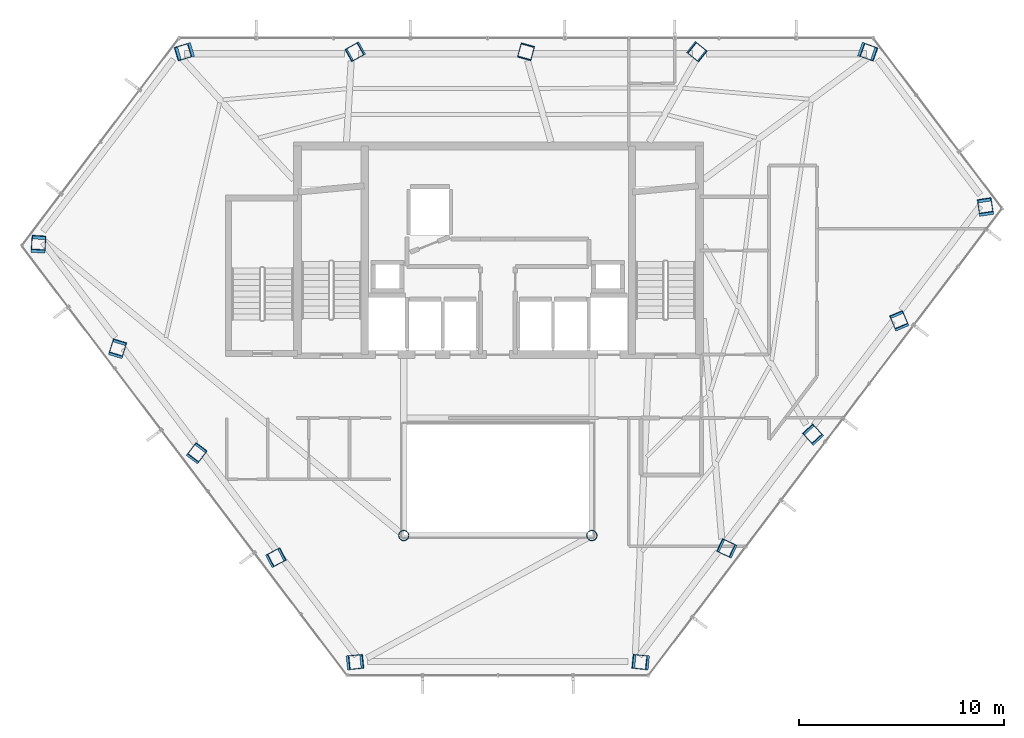
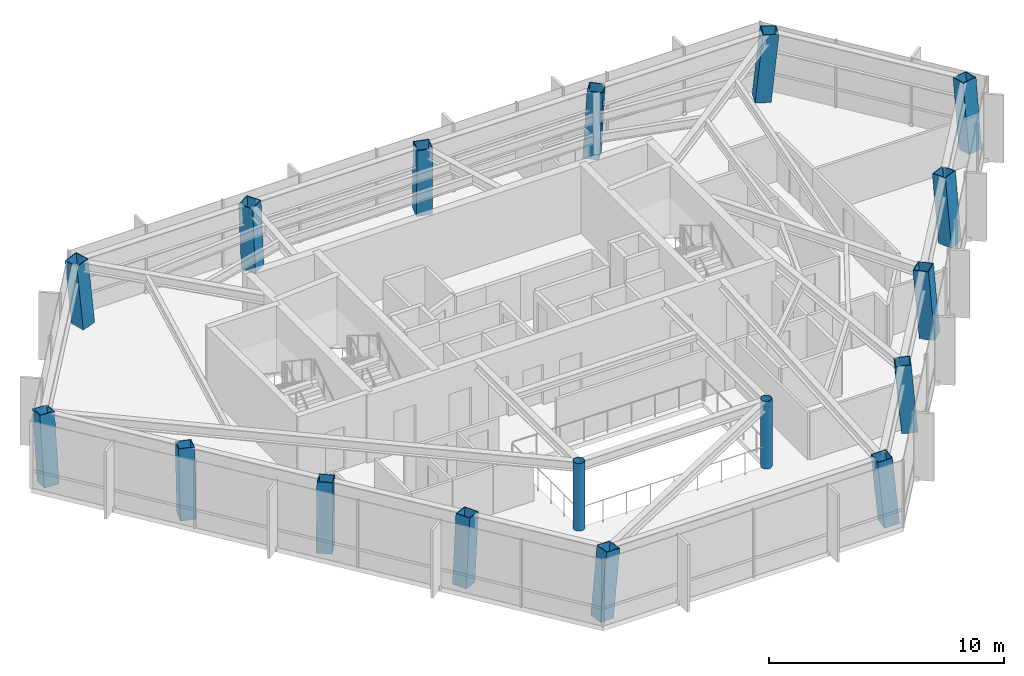
# One storey, part 1 of 27: 17 columns.
"""IFC4 building model written with IfcOpenShell, lengths in metres."""

from ifc_helpers import new_model, si_unit, direction, frame, origin, origin_2d, place, context, subcontext, project, spatial, hollow_rectangle, hollow_circle, extrude, material, material_profile, profile_set, type_object, element, save


model = new_model("IFC4")

# Units and contexts
model_context = context("Model", 3, precision=1e-05, world=origin(), true_north=direction((0.0, 1.0)))
body_context = subcontext(model_context, "Body", "Model", "MODEL_VIEW")
ifc_project = project(units=[si_unit("LENGTHUNIT", "METRE"), si_unit("AREAUNIT", "SQUARE_METRE"), si_unit("VOLUMEUNIT", "CUBIC_METRE"), si_unit("PLANEANGLEUNIT", "RADIAN"), si_unit("MASSUNIT", "GRAM", prefix="KILO")], contexts=[model_context])

# Site, building, storey
site_placement = place(None, origin())
site = spatial("IfcSite", under=ifc_project, at=site_placement, CompositionType="ELEMENT")
building_placement = place(site_placement, origin())
building = spatial("IfcBuilding", under=site, at=building_placement, Name="Zarrinselat Tower", CompositionType="ELEMENT")
storey_placement = place(building_placement, frame((0.0, 0.0, 183.260009765625)))
storey = spatial("IfcBuildingStorey", under=building, at=storey_placement, Name="L45", CompositionType="ELEMENT", Elevation=183.260009765625)

# Columns
ifc_material_1 = material(Name="Steel S355J2", Category="steel")
ifc_material_profile_1 = material_profile(ifc_material_1, hollow_circle(Radius=0.25390625, WallThickness=0.02001953125, at=origin_2d()), Name="CHS 508x20")
ifc_profile_set_1 = profile_set([ifc_material_profile_1], Name="Steel S355J2")
column_type_1 = type_object("IfcColumnType", Name="COL-CHS508", PredefinedType="COLUMN", material=ifc_profile_set_1)
for number, where, z_axis, x_axis, name in (
    (1, (33.800048828125, 24.39990234375, 0.0), (0.0, 0.0, 1.0), (1.0, 0.0, 0.0), "L45 Atrium Corner Column 1"),
    (2, (43.0, 24.39990234375, 0.0), (0.0, 0.0, 1.0), (1.0, 0.0, 0.0), "L45 Atrium Corner Column 2"),
):
    element("IfcColumn", number, at=place(storey_placement, frame(where, z_axis=z_axis, x_axis=x_axis)), inside=storey, type_object=column_type_1, Name=name, PredefinedType="COLUMN", context=body_context, shape_type="SweptSolid", body=[
        extrude(hollow_circle(Radius=0.25390625, WallThickness=0.02001953125, at=origin_2d()), origin(), (0.0, 0.0, 1.0), 3.5),
    ])
ifc_material_2 = material(Name="Steel S355J2", Category="steel")
ifc_material_profile_2 = material_profile(ifc_material_2, hollow_rectangle(XDim=0.699951171875, YDim=0.699951171875, WallThickness=0.034912109375, at=origin_2d()), Name="SHS 700x700x35")
ifc_profile_set_2 = profile_set([ifc_material_profile_2], Name="Steel S355J2")
column_type_2 = type_object("IfcColumnType", Name="COL-SHS700", PredefinedType="COLUMN", material=ifc_profile_set_2)
column_1_placement = place(storey_placement, frame((56.435791015625, 48.072265625, 0.0), z_axis=(0.09218822608, -0.033182207881, 0.995188561054), x_axis=(0.338669289805, 0.940905474606, 0.0)))
element("IfcColumn", 3, at=column_1_placement, inside=storey, type_object=column_type_2, Name="L45 Framed-Tube Column T01", PredefinedType="COLUMN", context=body_context, shape_type="SweptSolid", body=[
    extrude(hollow_rectangle(XDim=0.699951171875, YDim=0.699951171875, WallThickness=0.034912109375, at=origin_2d()), origin(), (0.0, 0.0, 1.0), 3.516845703125),
])
column_2_placement = place(storey_placement, frame((48.110107421875, 48.072265625, 0.0), z_axis=(0.041653819415, -0.033295193446, 0.998577182506), x_axis=(0.624376403662, 0.78112361797, 0.0)))
element("IfcColumn", 4, at=column_2_placement, inside=storey, type_object=column_type_2, Name="L45 Framed-Tube Column T02", PredefinedType="COLUMN", context=body_context, shape_type="SweptSolid", body=[
    extrude(hollow_rectangle(XDim=0.699951171875, YDim=0.699951171875, WallThickness=0.034912109375, at=origin_2d()), origin(), (0.0, 0.0, 1.0), 3.5048828125),
])
column_3_placement = place(storey_placement, frame((39.784423828125, 48.072265625, 0.0), z_axis=(-0.009202085733, -0.033322704398, 0.999402280861), x_axis=(0.96392127936, -0.266187466267, 0.0)))
element("IfcColumn", 5, at=column_3_placement, inside=storey, type_object=column_type_2, Name="L45 Framed-Tube Column T03", PredefinedType="COLUMN", context=body_context, shape_type="SweptSolid", body=[
    extrude(hollow_rectangle(XDim=0.699951171875, YDim=0.699951171875, WallThickness=0.034912109375, at=origin_2d()), origin(), (0.0, 0.0, 1.0), 3.502197265625),
])
column_4_placement = place(storey_placement, frame((31.45849609375, 48.072265625, 0.0), z_axis=(-0.05984805099, -0.03326438183, 0.997653091858), x_axis=(0.485815509524, -0.874061376967, 0.0)))
element("IfcColumn", 6, at=column_4_placement, inside=storey, type_object=column_type_2, Name="L45 Framed-Tube Column T04", PredefinedType="COLUMN", context=body_context, shape_type="SweptSolid", body=[
    extrude(hollow_rectangle(XDim=0.699951171875, YDim=0.699951171875, WallThickness=0.034912109375, at=origin_2d()), origin(), (0.0, 0.0, 1.0), 3.50830078125),
])
column_5_placement = place(storey_placement, frame((23.1328125, 48.072265625, 0.0), z_axis=(-0.110173200849, -0.033121251576, 0.993360381991), x_axis=(0.287900408493, -0.957660354609, 0.0)))
element("IfcColumn", 7, at=column_5_placement, inside=storey, type_object=column_type_2, Name="L45 Framed-Tube Column T05", PredefinedType="COLUMN", context=body_context, shape_type="SweptSolid", body=[
    extrude(hollow_rectangle(XDim=0.699951171875, YDim=0.699951171875, WallThickness=0.034912109375, at=origin_2d()), origin(), (0.0, 0.0, 1.0), 3.5234375),
])
column_6_placement = place(storey_placement, frame((15.935546875, 38.57177734375, 0.0), z_axis=(0.007615206198, 0.122258674054, 0.992469055061), x_axis=(-0.998065750463, 0.06216717585, 0.0)))
element("IfcColumn", 8, at=column_6_placement, inside=storey, type_object=column_type_2, Name="L45 Framed-Tube Column T06", PredefinedType="COLUMN", context=body_context, shape_type="SweptSolid", body=[
    extrude(hollow_rectangle(XDim=0.699951171875, YDim=0.699951171875, WallThickness=0.034912109375, at=origin_2d()), origin(), (0.0, 0.0, 1.0), 3.526611328125),
])
column_7_placement = place(storey_placement, frame((19.79296875, 33.47998046875, 0.0), z_axis=(0.029014822227, 0.094402292415, 0.995111223571), x_axis=(-0.955870142765, 0.293789499762, 0.0)))
element("IfcColumn", 9, at=column_7_placement, inside=storey, type_object=column_type_2, Name="L45 Framed-Tube Column T07", PredefinedType="COLUMN", context=body_context, shape_type="SweptSolid", body=[
    extrude(hollow_rectangle(XDim=0.699951171875, YDim=0.699951171875, WallThickness=0.034912109375, at=origin_2d()), origin(), (0.0, 0.0, 1.0), 3.51708984375),
])
column_8_placement = place(storey_placement, frame((23.650146484375, 28.388427734375, 0.0), z_axis=(0.050465829939, 0.066245090815, 0.996526360891), x_axis=(-0.795470040439, 0.605992916431, 0.0)))
element("IfcColumn", 10, at=column_8_placement, inside=storey, type_object=column_type_2, Name="L45 Framed-Tube Column T08", PredefinedType="COLUMN", context=body_context, shape_type="SweptSolid", body=[
    extrude(hollow_rectangle(XDim=0.699951171875, YDim=0.699951171875, WallThickness=0.034912109375, at=origin_2d()), origin(), (0.0, 0.0, 1.0), 3.51220703125),
])
column_9_placement = place(storey_placement, frame((27.50732421875, 23.296875, 0.0), z_axis=(0.071956553078, 0.03795968887, 0.996685164177), x_axis=(-0.46659151498, 0.884472926747, 0.0)))
element("IfcColumn", 11, at=column_9_placement, inside=storey, type_object=column_type_2, Name="L45 Framed-Tube Column T09", PredefinedType="COLUMN", context=body_context, shape_type="SweptSolid", body=[
    extrude(hollow_rectangle(XDim=0.699951171875, YDim=0.699951171875, WallThickness=0.034912109375, at=origin_2d()), origin(), (0.0, 0.0, 1.0), 3.51171875),
])
for number, where, z_axis, x_axis, name in (
    (12, (31.364501953125, 18.205322265625, 0.0), (0.093267517379, 0.009653153325, 0.995594288268), (-0.102949689099, 0.994686564459, 0.0), "L45 Framed-Tube Column T10"),
    (13, (45.435302734375, 18.205322265625, 0.0), (-0.093198673673, 0.009653215828, 0.995600734557), (-0.103025588768, -0.994678705944, 0.0), "L45 Framed-Tube Column T11"),
):
    element("IfcColumn", number, at=place(storey_placement, frame(where, z_axis=z_axis, x_axis=x_axis)), inside=storey, type_object=column_type_2, Name=name, PredefinedType="COLUMN", context=body_context, shape_type="SweptSolid", body=[
        extrude(hollow_rectangle(XDim=0.699951171875, YDim=0.699951171875, WallThickness=0.034912109375, at=origin_2d()), origin(), (0.0, 0.0, 1.0), 3.515380859375),
    ])
column_10_placement = place(storey_placement, frame((49.638916015625, 23.753662109375, 0.0), z_axis=(-0.074246461294, 0.034968136733, 0.996626656476), x_axis=(-0.426082575566, -0.904684275755, 0.0)))
element("IfcColumn", 14, at=column_10_placement, inside=storey, type_object=column_type_2, Name="L45 Framed-Tube Column T12", PredefinedType="COLUMN", context=body_context, shape_type="SweptSolid", body=[
    extrude(hollow_rectangle(XDim=0.699951171875, YDim=0.699951171875, WallThickness=0.034912109375, at=origin_2d()), origin(), (0.0, 0.0, 1.0), 3.511962890625),
])
column_11_placement = place(storey_placement, frame((53.842041015625, 29.30224609375, 0.0), z_axis=(-0.055061357393, 0.060205979169, 0.99666618634), x_axis=(-0.737931809489, -0.674875280733, 0.0)))
element("IfcColumn", 15, at=column_11_placement, inside=storey, type_object=column_type_2, Name="L45 Framed-Tube Column T13", PredefinedType="COLUMN", context=body_context, shape_type="SweptSolid", body=[
    extrude(hollow_rectangle(XDim=0.699951171875, YDim=0.699951171875, WallThickness=0.034912109375, at=origin_2d()), origin(), (0.0, 0.0, 1.0), 3.51171875),
])
column_12_placement = place(storey_placement, frame((58.04541015625, 34.8505859375, 0.0), z_axis=(-0.035907879203, 0.085428803519, 0.995697014026), x_axis=(-0.921875036522, -0.387487312099, 0.0)))
element("IfcColumn", 16, at=column_12_placement, inside=storey, type_object=column_type_2, Name="L45 Framed-Tube Column T14", PredefinedType="COLUMN", context=body_context, shape_type="SweptSolid", body=[
    extrude(hollow_rectangle(XDim=0.699951171875, YDim=0.699951171875, WallThickness=0.034912109375, at=origin_2d()), origin(), (0.0, 0.0, 1.0), 3.51513671875),
])
column_13_placement = place(storey_placement, frame((62.248779296875, 40.39892578125, 0.0), z_axis=(-0.01670553271, 0.110492195599, 0.993736584759), x_axis=(-0.988762784989, -0.149492993214, 0.0)))
element("IfcColumn", 17, at=column_13_placement, inside=storey, type_object=column_type_2, Name="L45 Framed-Tube Column T15", PredefinedType="COLUMN", context=body_context, shape_type="SweptSolid", body=[
    extrude(hollow_rectangle(XDim=0.699951171875, YDim=0.699951171875, WallThickness=0.034912109375, at=origin_2d()), origin(), (0.0, 0.0, 1.0), 3.52197265625),
])

save(model, "model.ifc")
